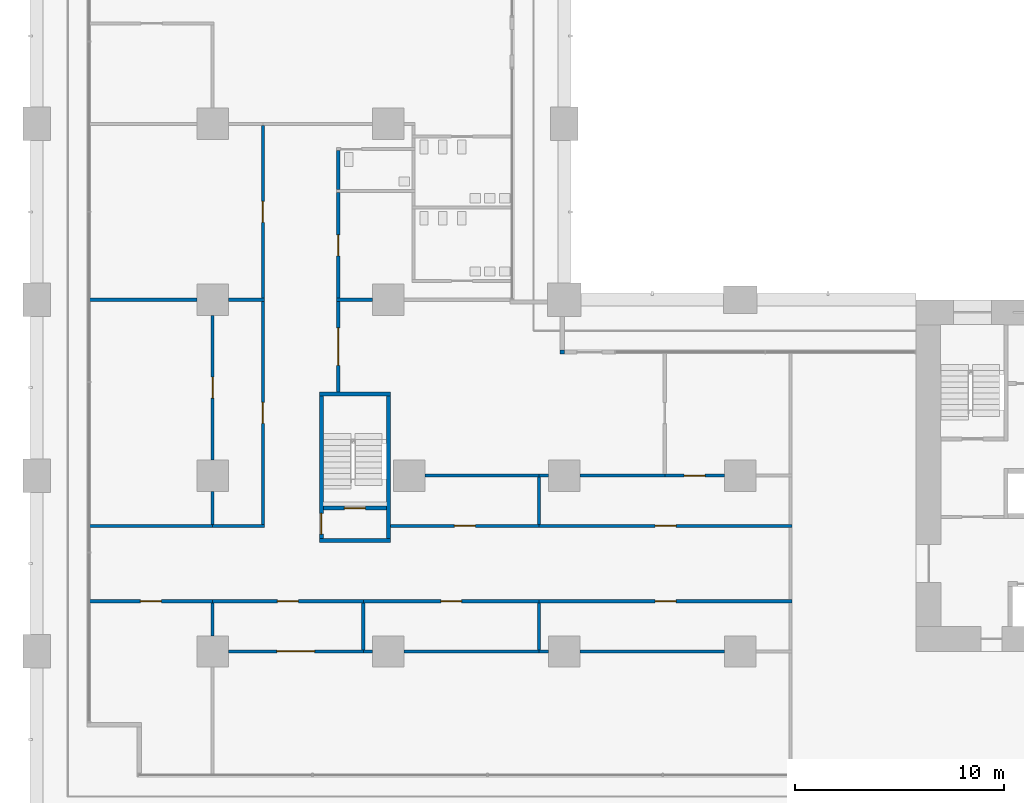
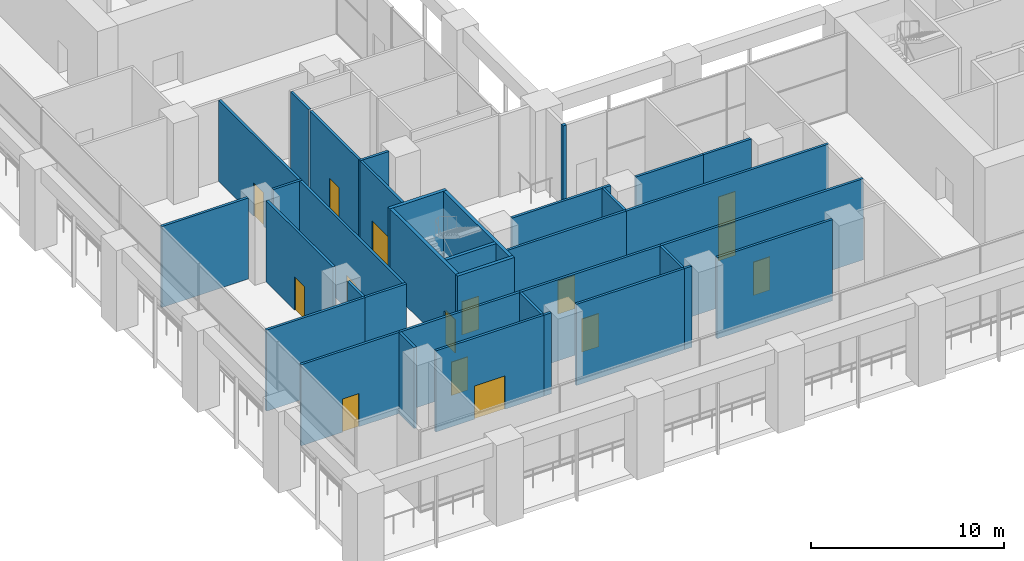
# One storey, part 14 of 32: 37 walls, 15 doors, 15 openings.
"""IFC4 building model written with IfcOpenShell, lengths in metres."""

from ifc_helpers import new_model, si_unit, direction, frame, frame_2d, origin, place, context, subcontext, project, spatial, rectangle, extrude, material, layer, layer_set, type_object, element, fill, save


model = new_model("IFC4")

# Units and contexts
model_context = context("Model", 3, precision=1e-05, world=origin(), true_north=direction((0.0, 1.0)))
body_context = subcontext(model_context, "Body", "Model", "MODEL_VIEW")
ifc_project = project(units=[si_unit("LENGTHUNIT", "METRE"), si_unit("AREAUNIT", "SQUARE_METRE"), si_unit("VOLUMEUNIT", "CUBIC_METRE"), si_unit("PLANEANGLEUNIT", "RADIAN"), si_unit("MASSUNIT", "GRAM", prefix="KILO")], contexts=[model_context])

# Site, building, storey
site_placement = place(None, origin())
site = spatial("IfcSite", under=ifc_project, at=site_placement, CompositionType="ELEMENT")
building_placement = place(site_placement, origin())
building = spatial("IfcBuilding", under=site, at=building_placement, Name="Vermilion Gate Residences", CompositionType="ELEMENT")
storey_placement = place(building_placement, frame((0.0, 0.0, 19.800048828125)))
storey = spatial("IfcBuildingStorey", under=building, at=storey_placement, Name="L03", CompositionType="ELEMENT", Elevation=19.800048828125)

# Wall
ifc_material_1 = material(Name="Insulated steel stud wall with terracotta rainscreen", Category="masonry")
ifc_layer_1 = layer(ifc_material_1, 0.199951171875)
ifc_layer_set_1 = layer_set([ifc_layer_1], Name="EXTERNAL WALL 200 TERRACOTTA RAINSCREEN")
wall_type_1 = type_object("IfcWallType", Name="EXTERNAL WALL 200 TERRACOTTA RAINSCREEN", PredefinedType="SOLIDWALL", material=ifc_layer_set_1)
wall_1_placement = place(storey_placement, frame((25.199951171875, 22.699951171875, 0.0), z_axis=(0.0, 0.0, 1.0), x_axis=(-1.0, 0.0, 0.0)))
element("IfcWall", 1, at=wall_1_placement, inside=storey, type_object=wall_type_1, Name="External wall", PredefinedType="SOLIDWALL", context=body_context, shape_type="SweptSolid", body=[
    extrude(rectangle(XDim=0.199951171875, YDim=0.199951171875, at=frame_2d((0.10009765625, 0.0))), origin(), (0.0, 0.0, 1.0), 5.119873046875),
])

# Wall, opening, door
ifc_material_2 = material(Name="Gypsum board on steel studs", Category="steel")
ifc_layer_2 = layer(ifc_material_2, 0.14990234375)
ifc_layer_set_2 = layer_set([ifc_layer_2], Name="PARTITION 150 EI 60 (AMENITY)")
wall_type_2 = type_object("IfcWallType", Name="PARTITION 150 EI 60 (AMENITY)", PredefinedType="PARTITIONING", material=ifc_layer_set_2)
wall_2_placement = place(storey_placement, frame((2.5, 10.800048828125, 0.0), z_axis=(0.0, 0.0, 1.0), x_axis=(1.0, 0.0, 0.0)))
wall_2 = element("IfcWall", 2, at=wall_2_placement, inside=storey, type_object=wall_type_2, Name="Partition 1", PredefinedType="PARTITIONING", context=body_context, shape_type="SweptSolid", body=[
    extrude(rectangle(XDim=5.89990234375, YDim=0.14990234375, at=frame_2d((2.949951171875, 0.0))), origin(), (0.0, 0.0, 1.0), 5.119873046875),
])
opening_1_placement = place(wall_2_placement, frame((2.449951171875, 0.0, 0.0)))
opening_1 = element("IfcOpeningElement", 3, at=opening_1_placement, cuts=wall_2, Name="Opening DM03005", PredefinedType="OPENING", context=body_context, shape_type="SweptSolid", body=[
    extrude(rectangle(XDim=1.0, YDim=2.10009765625, at=frame_2d((0.5, 1.050048828125))), frame((0.0, 0.0849609375, 0.0), z_axis=(0.0, -1.0, 0.0), x_axis=(1.0, 0.0, 0.0)), (0.0, 0.0, 1.0), 0.169921875),
])
ifc_material_3 = material(Name="Steel", Category="steel")
door_type_1 = type_object("IfcDoorType", Name="DOOR 1000 X 2100 FD30 (AMENITY)", OperationType="SINGLE_SWING_LEFT", PredefinedType="DOOR", material=ifc_material_3)
door_1_placement = place(opening_1_placement, frame((1.0, 0.0, 0.0), z_axis=(0.0, 0.0, 1.0), x_axis=(-1.0, 0.0, 0.0)))
door_1 = element("IfcDoor", 4, at=door_1_placement, inside=storey, type_object=door_type_1, Name="Door L03 5", OperationType="SINGLE_SWING_RIGHT", OverallHeight=2.10009765625, OverallWidth=1.0, PredefinedType="DOOR", context=body_context, shape_type="SweptSolid", body=[
    extrude(rectangle(XDim=1.0, YDim=2.10009765625, at=frame_2d((0.5, 1.050048828125))), frame((0.0, 0.02490234375, 0.0), z_axis=(0.0, -1.0, 0.0), x_axis=(1.0, 0.0, 0.0)), (0.0, 0.0, 1.0), 0.050048828125),
])
fill(opening_1, door_1)

# Walls
wall_3_placement = place(storey_placement, frame((2.5, 14.39990234375, 0.0), z_axis=(0.0, 0.0, 1.0), x_axis=(1.0, 0.0, 0.0)))
element("IfcWall", 5, at=wall_3_placement, inside=storey, type_object=wall_type_2, Name="Partition 2", PredefinedType="PARTITIONING", context=body_context, shape_type="SweptSolid", body=[
    extrude(rectangle(XDim=5.89990234375, YDim=0.14990234375, at=frame_2d((2.949951171875, 0.0))), origin(), (0.0, 0.0, 1.0), 5.119873046875),
])
wall_4_placement = place(storey_placement, frame((2.5, 25.199951171875, 0.0), z_axis=(0.0, 0.0, 1.0), x_axis=(1.0, 0.0, 0.0)))
element("IfcWall", 6, at=wall_4_placement, inside=storey, type_object=wall_type_2, Name="Partition 3", PredefinedType="PARTITIONING", context=body_context, shape_type="SweptSolid", body=[
    extrude(rectangle(XDim=5.14990234375, YDim=0.14990234375, at=frame_2d((2.574951171875, 0.0))), origin(), (0.0, 0.0, 1.0), 5.119873046875),
])
wall_5_placement = place(storey_placement, frame((8.39990234375, 9.14990234375, 0.0), z_axis=(0.0, 0.0, 1.0), x_axis=(0.0, 1.0, 0.0)))
element("IfcWall", 7, at=wall_5_placement, inside=storey, type_object=wall_type_2, Name="Partition 7", PredefinedType="PARTITIONING", context=body_context, shape_type="SweptSolid", body=[
    extrude(rectangle(XDim=1.5751953125, YDim=0.14990234375, at=frame_2d((0.78759765625, 0.0))), origin(), (0.0, 0.0, 1.0), 5.119873046875),
])

# Wall, opening, door
wall_6_placement = place(storey_placement, frame((9.14990234375, 8.39990234375, 0.0), z_axis=(0.0, 0.0, 1.0), x_axis=(1.0, 0.0, 0.0)))
wall_6 = element("IfcWall", 8, at=wall_6_placement, inside=storey, type_object=wall_type_2, Name="Partition 8", PredefinedType="PARTITIONING", context=body_context, shape_type="SweptSolid", body=[
    extrude(rectangle(XDim=6.4501953125, YDim=0.14990234375, at=frame_2d((3.22509765625, 0.0))), origin(), (0.0, 0.0, 1.0), 5.119873046875),
])
opening_2_placement = place(wall_6_placement, frame((2.324951171875, 0.0, 0.0)))
opening_2 = element("IfcOpeningElement", 9, at=opening_2_placement, cuts=wall_6, Name="Opening DM03001", PredefinedType="OPENING", context=body_context, shape_type="SweptSolid", body=[
    extrude(rectangle(XDim=1.800048828125, YDim=2.10009765625, at=frame_2d((0.89990234375, 1.050048828125))), frame((0.0, 0.0849609375, 0.0), z_axis=(0.0, -1.0, 0.0), x_axis=(1.0, 0.0, 0.0)), (0.0, 0.0, 1.0), 0.169921875),
])
ifc_material_4 = material(Name="Steel", Category="steel")
door_type_2 = type_object("IfcDoorType", Name="DOUBLE DOOR 1800 X 2100 FD30 (AMENITY)", OperationType="DOUBLE_DOOR_SINGLE_SWING", PredefinedType="DOOR", material=ifc_material_4)
door_2_placement = place(opening_2_placement, origin())
door_2 = element("IfcDoor", 10, at=door_2_placement, inside=storey, type_object=door_type_2, Name="Door L03 1", OperationType="DOUBLE_DOOR_SINGLE_SWING", OverallHeight=2.10009765625, OverallWidth=1.800048828125, PredefinedType="DOOR", context=body_context, shape_type="SweptSolid", body=[
    extrude(rectangle(XDim=1.800048828125, YDim=2.10009765625, at=frame_2d((0.89990234375, 1.050048828125))), frame((0.0, 0.02490234375, 0.0), z_axis=(0.0, -1.0, 0.0), x_axis=(1.0, 0.0, 0.0)), (0.0, 0.0, 1.0), 0.050048828125),
])
fill(opening_2, door_2)

wall_7_placement = place(storey_placement, frame((8.39990234375, 10.800048828125, 0.0), z_axis=(0.0, 0.0, 1.0), x_axis=(1.0, 0.0, 0.0)))
wall_7 = element("IfcWall", 11, at=wall_7_placement, inside=storey, type_object=wall_type_2, Name="Partition 9", PredefinedType="PARTITIONING", context=body_context, shape_type="SweptSolid", body=[
    extrude(rectangle(XDim=7.2001953125, YDim=0.14990234375, at=frame_2d((3.60009765625, 0.0))), origin(), (0.0, 0.0, 1.0), 5.119873046875),
])
opening_3_placement = place(wall_7_placement, frame((3.10009765625, 0.0, 0.0)))
opening_3 = element("IfcOpeningElement", 12, at=opening_3_placement, cuts=wall_7, Name="Opening DM03002", PredefinedType="OPENING", context=body_context, shape_type="SweptSolid", body=[
    extrude(rectangle(XDim=1.0, YDim=2.10009765625, at=frame_2d((0.5, 1.050048828125))), frame((0.0, 0.0849609375, 0.0), z_axis=(0.0, -1.0, 0.0), x_axis=(1.0, 0.0, 0.0)), (0.0, 0.0, 1.0), 0.169921875),
])
door_3_placement = place(opening_3_placement, frame((1.0, 0.0, 0.0), z_axis=(0.0, 0.0, 1.0), x_axis=(-1.0, 0.0, 0.0)))
door_3 = element("IfcDoor", 13, at=door_3_placement, inside=storey, type_object=door_type_1, Name="Door L03 2", OperationType="SINGLE_SWING_RIGHT", OverallHeight=2.10009765625, OverallWidth=1.0, PredefinedType="DOOR", context=body_context, shape_type="SweptSolid", body=[
    extrude(rectangle(XDim=1.0, YDim=2.10009765625, at=frame_2d((0.5, 1.050048828125))), frame((0.0, 0.02490234375, 0.0), z_axis=(0.0, -1.0, 0.0), x_axis=(1.0, 0.0, 0.0)), (0.0, 0.0, 1.0), 0.050048828125),
])
fill(opening_3, door_3)

# Wall
wall_8_placement = place(storey_placement, frame((8.39990234375, 14.47509765625, 0.0), z_axis=(0.0, 0.0, 1.0), x_axis=(0.0, 1.0, 0.0)))
element("IfcWall", 14, at=wall_8_placement, inside=storey, type_object=wall_type_2, Name="Partition 10", PredefinedType="PARTITIONING", context=body_context, shape_type="SweptSolid", body=[
    extrude(rectangle(XDim=1.574951171875, YDim=0.14990234375, at=frame_2d((0.78759765625, 0.0))), origin(), (0.0, 0.0, 1.0), 5.119873046875),
])

# Wall, opening, door
wall_9_placement = place(storey_placement, frame((8.39990234375, 17.550048828125, 0.0), z_axis=(0.0, 0.0, 1.0), x_axis=(0.0, 1.0, 0.0)))
wall_9 = element("IfcWall", 15, at=wall_9_placement, inside=storey, type_object=wall_type_2, Name="Partition 11", PredefinedType="PARTITIONING", context=body_context, shape_type="SweptSolid", body=[
    extrude(rectangle(XDim=6.89990234375, YDim=0.14990234375, at=frame_2d((3.449951171875, 0.0))), origin(), (0.0, 0.0, 1.0), 5.119873046875),
])
opening_4_placement = place(wall_9_placement, frame((2.949951171875, 0.0, 0.0)))
opening_4 = element("IfcOpeningElement", 16, at=opening_4_placement, cuts=wall_9, Name="Opening DM03011", PredefinedType="OPENING", context=body_context, shape_type="SweptSolid", body=[
    extrude(rectangle(XDim=1.0, YDim=2.10009765625, at=frame_2d((0.5, 1.050048828125))), frame((0.0, 0.0849609375, 0.0), z_axis=(0.0, -1.0, 0.0), x_axis=(1.0, 0.0, 0.0)), (0.0, 0.0, 1.0), 0.169921875),
])
door_4_placement = place(opening_4_placement, frame((1.0, 0.0, 0.0), z_axis=(0.0, 0.0, 1.0), x_axis=(-1.0, 0.0, 0.0)))
door_4 = element("IfcDoor", 17, at=door_4_placement, inside=storey, type_object=door_type_1, Name="Door L03 11", OperationType="SINGLE_SWING_RIGHT", OverallHeight=2.10009765625, OverallWidth=1.0, PredefinedType="DOOR", context=body_context, shape_type="SweptSolid", body=[
    extrude(rectangle(XDim=1.0, YDim=2.10009765625, at=frame_2d((0.5, 1.050048828125))), frame((0.0, 0.02490234375, 0.0), z_axis=(0.0, -1.0, 0.0), x_axis=(1.0, 0.0, 0.0)), (0.0, 0.0, 1.0), 0.050048828125),
])
fill(opening_4, door_4)

# Walls
wall_10_placement = place(storey_placement, frame((8.39990234375, 14.39990234375, 0.0), z_axis=(0.0, 0.0, 1.0), x_axis=(1.0, 0.0, 0.0)))
element("IfcWall", 18, at=wall_10_placement, inside=storey, type_object=wall_type_2, Name="Partition 12", PredefinedType="PARTITIONING", context=body_context, shape_type="SweptSolid", body=[
    extrude(rectangle(XDim=2.47509765625, YDim=0.14990234375, at=frame_2d((1.237548828125, 0.0))), origin(), (0.0, 0.0, 1.0), 5.119873046875),
])
wall_11_placement = place(storey_placement, frame((9.14990234375, 25.199951171875, 0.0), z_axis=(0.0, 0.0, 1.0), x_axis=(1.0, 0.0, 0.0)))
element("IfcWall", 19, at=wall_11_placement, inside=storey, type_object=wall_type_2, Name="Partition 13", PredefinedType="PARTITIONING", context=body_context, shape_type="SweptSolid", body=[
    extrude(rectangle(XDim=1.72509765625, YDim=0.14990234375, at=frame_2d((0.862548828125, 0.0))), origin(), (0.0, 0.0, 1.0), 5.119873046875),
])

# Wall, opening, door
wall_12_placement = place(storey_placement, frame((10.800048828125, 14.47509765625, 0.0), z_axis=(0.0, 0.0, 1.0), x_axis=(0.0, 1.0, 0.0)))
wall_12 = element("IfcWall", 20, at=wall_12_placement, inside=storey, type_object=wall_type_2, Name="Partition 16", PredefinedType="PARTITIONING", context=body_context, shape_type="SweptSolid", body=[
    extrude(rectangle(XDim=10.64990234375, YDim=0.14990234375, at=frame_2d((5.324951171875, 0.0))), origin(), (0.0, 0.0, 1.0), 5.119873046875),
])
opening_5_placement = place(wall_12_placement, frame((4.824951171875, 0.0, 0.0)))
opening_5 = element("IfcOpeningElement", 21, at=opening_5_placement, cuts=wall_12, Name="Opening DM03012", PredefinedType="OPENING", context=body_context, shape_type="SweptSolid", body=[
    extrude(rectangle(XDim=1.0, YDim=2.10009765625, at=frame_2d((0.5, 1.050048828125))), frame((0.0, 0.0849609375, 0.0), z_axis=(0.0, -1.0, 0.0), x_axis=(1.0, 0.0, 0.0)), (0.0, 0.0, 1.0), 0.169921875),
])
door_5_placement = place(opening_5_placement, origin())
door_5 = element("IfcDoor", 22, at=door_5_placement, inside=storey, type_object=door_type_1, Name="Door L03 12", OperationType="SINGLE_SWING_LEFT", OverallHeight=2.10009765625, OverallWidth=1.0, PredefinedType="DOOR", context=body_context, shape_type="SweptSolid", body=[
    extrude(rectangle(XDim=1.0, YDim=2.10009765625, at=frame_2d((0.5, 1.050048828125))), frame((0.0, 0.02490234375, 0.0), z_axis=(0.0, -1.0, 0.0), x_axis=(1.0, 0.0, 0.0)), (0.0, 0.0, 1.0), 0.050048828125),
])
fill(opening_5, door_5)

wall_13_placement = place(storey_placement, frame((10.800048828125, 25.27490234375, 0.0), z_axis=(0.0, 0.0, 1.0), x_axis=(0.0, 1.0, 0.0)))
wall_13 = element("IfcWall", 23, at=wall_13_placement, inside=storey, type_object=wall_type_2, Name="Partition 17", PredefinedType="PARTITIONING", context=body_context, shape_type="SweptSolid", body=[
    extrude(rectangle(XDim=8.25, YDim=0.14990234375, at=frame_2d((4.125, 0.0))), origin(), (0.0, 0.0, 1.0), 5.119873046875),
])
opening_6_placement = place(wall_13_placement, frame((3.625, 0.0, 0.0)))
opening_6 = element("IfcOpeningElement", 24, at=opening_6_placement, cuts=wall_13, Name="Opening DM03013", PredefinedType="OPENING", context=body_context, shape_type="SweptSolid", body=[
    extrude(rectangle(XDim=1.0, YDim=2.10009765625, at=frame_2d((0.5, 1.050048828125))), frame((0.0, 0.0849609375, 0.0), z_axis=(0.0, -1.0, 0.0), x_axis=(1.0, 0.0, 0.0)), (0.0, 0.0, 1.0), 0.169921875),
])
door_6_placement = place(opening_6_placement, origin())
door_6 = element("IfcDoor", 25, at=door_6_placement, inside=storey, type_object=door_type_1, Name="Door L03 13", OperationType="SINGLE_SWING_LEFT", OverallHeight=2.10009765625, OverallWidth=1.0, PredefinedType="DOOR", context=body_context, shape_type="SweptSolid", body=[
    extrude(rectangle(XDim=1.0, YDim=2.10009765625, at=frame_2d((0.5, 1.050048828125))), frame((0.0, 0.02490234375, 0.0), z_axis=(0.0, -1.0, 0.0), x_axis=(1.0, 0.0, 0.0)), (0.0, 0.0, 1.0), 0.050048828125),
])
fill(opening_6, door_6)

wall_14_placement = place(storey_placement, frame((14.39990234375, 20.800048828125, 0.0), z_axis=(0.0, 0.0, 1.0), x_axis=(0.0, 1.0, 0.0)))
wall_14 = element("IfcWall", 26, at=wall_14_placement, inside=storey, type_object=wall_type_2, Name="Partition 20", PredefinedType="PARTITIONING", context=body_context, shape_type="SweptSolid", body=[
    extrude(rectangle(XDim=4.324951171875, YDim=0.14990234375, at=frame_2d((2.16259765625, 0.0))), origin(), (0.0, 0.0, 1.0), 5.119873046875),
])
opening_7_placement = place(wall_14_placement, frame((1.262451171875, 0.0, 0.0)))
opening_7 = element("IfcOpeningElement", 27, at=opening_7_placement, cuts=wall_14, Name="Opening DM03006", PredefinedType="OPENING", context=body_context, shape_type="SweptSolid", body=[
    extrude(rectangle(XDim=1.800048828125, YDim=2.10009765625, at=frame_2d((0.89990234375, 1.050048828125))), frame((0.0, 0.0849609375, 0.0), z_axis=(0.0, -1.0, 0.0), x_axis=(1.0, 0.0, 0.0)), (0.0, 0.0, 1.0), 0.169921875),
])
door_7_placement = place(opening_7_placement, origin())
door_7 = element("IfcDoor", 28, at=door_7_placement, inside=storey, type_object=door_type_2, Name="Door L03 6", OperationType="DOUBLE_DOOR_SINGLE_SWING", OverallHeight=2.10009765625, OverallWidth=1.800048828125, PredefinedType="DOOR", context=body_context, shape_type="SweptSolid", body=[
    extrude(rectangle(XDim=1.800048828125, YDim=2.10009765625, at=frame_2d((0.89990234375, 1.050048828125))), frame((0.0, 0.02490234375, 0.0), z_axis=(0.0, -1.0, 0.0), x_axis=(1.0, 0.0, 0.0)), (0.0, 0.0, 1.0), 0.050048828125),
])
fill(opening_7, door_7)

wall_15_placement = place(storey_placement, frame((14.39990234375, 25.27490234375, 0.0), z_axis=(0.0, 0.0, 1.0), x_axis=(0.0, 1.0, 0.0)))
wall_15 = element("IfcWall", 29, at=wall_15_placement, inside=storey, type_object=wall_type_2, Name="Partition 21", PredefinedType="PARTITIONING", context=body_context, shape_type="SweptSolid", body=[
    extrude(rectangle(XDim=5.050048828125, YDim=0.14990234375, at=frame_2d((2.52490234375, 0.0))), origin(), (0.0, 0.0, 1.0), 5.119873046875),
])
opening_8_placement = place(wall_15_placement, frame((2.02490234375, 0.0, 0.0)))
opening_8 = element("IfcOpeningElement", 30, at=opening_8_placement, cuts=wall_15, Name="Opening DM03017", PredefinedType="OPENING", context=body_context, shape_type="SweptSolid", body=[
    extrude(rectangle(XDim=1.0, YDim=2.10009765625, at=frame_2d((0.5, 1.050048828125))), frame((0.0, 0.0849609375, 0.0), z_axis=(0.0, -1.0, 0.0), x_axis=(1.0, 0.0, 0.0)), (0.0, 0.0, 1.0), 0.169921875),
])
door_8_placement = place(opening_8_placement, frame((1.0, 0.0, 0.0), z_axis=(0.0, 0.0, 1.0), x_axis=(-1.0, 0.0, 0.0)))
door_8 = element("IfcDoor", 31, at=door_8_placement, inside=storey, type_object=door_type_1, Name="Door L03 17", OperationType="SINGLE_SWING_RIGHT", OverallHeight=2.10009765625, OverallWidth=1.0, PredefinedType="DOOR", context=body_context, shape_type="SweptSolid", body=[
    extrude(rectangle(XDim=1.0, YDim=2.10009765625, at=frame_2d((0.5, 1.050048828125))), frame((0.0, 0.02490234375, 0.0), z_axis=(0.0, -1.0, 0.0), x_axis=(1.0, 0.0, 0.0)), (0.0, 0.0, 1.0), 0.050048828125),
])
fill(opening_8, door_8)

# Walls
wall_16_placement = place(storey_placement, frame((14.324951171875, 25.199951171875, 0.0), z_axis=(0.0, 0.0, 1.0), x_axis=(1.0, 0.0, 0.0)))
element("IfcWall", 32, at=wall_16_placement, inside=storey, type_object=wall_type_2, Name="Partition 22", PredefinedType="PARTITIONING", context=body_context, shape_type="SweptSolid", body=[
    extrude(rectangle(XDim=1.72509765625, YDim=0.14990234375, at=frame_2d((0.862548828125, 0.0))), origin(), (0.0, 0.0, 1.0), 5.119873046875),
])
wall_17_placement = place(storey_placement, frame((14.39990234375, 30.47509765625, 0.0), z_axis=(0.0, 0.0, 1.0), x_axis=(0.0, 1.0, 0.0)))
element("IfcWall", 33, at=wall_17_placement, inside=storey, type_object=wall_type_2, Name="Partition 24", PredefinedType="PARTITIONING", context=body_context, shape_type="SweptSolid", body=[
    extrude(rectangle(XDim=1.849853515625, YDim=0.14990234375, at=frame_2d((0.9248046875, 0.0))), origin(), (0.0, 0.0, 1.0), 5.119873046875),
])
wall_18_placement = place(storey_placement, frame((15.60009765625, 8.47509765625, 0.0), z_axis=(0.0, 0.0, 1.0), x_axis=(0.0, 1.0, 0.0)))
element("IfcWall", 34, at=wall_18_placement, inside=storey, type_object=wall_type_2, Name="Partition 27", PredefinedType="PARTITIONING", context=body_context, shape_type="SweptSolid", body=[
    extrude(rectangle(XDim=2.25, YDim=0.14990234375, at=frame_2d((1.125, 0.0))), origin(), (0.0, 0.0, 1.0), 5.119873046875),
])
wall_19_placement = place(storey_placement, frame((15.60009765625, 8.39990234375, 0.0), z_axis=(0.0, 0.0, 1.0), x_axis=(1.0, 0.0, 0.0)))
element("IfcWall", 35, at=wall_19_placement, inside=storey, type_object=wall_type_2, Name="Partition 28", PredefinedType="PARTITIONING", context=body_context, shape_type="SweptSolid", body=[
    extrude(rectangle(XDim=0.449951171875, YDim=0.14990234375, at=frame_2d((0.22509765625, 0.0))), origin(), (0.0, 0.0, 1.0), 5.119873046875),
])
wall_20_placement = place(storey_placement, frame((17.550048828125, 8.39990234375, 0.0), z_axis=(0.0, 0.0, 1.0), x_axis=(1.0, 0.0, 0.0)))
element("IfcWall", 36, at=wall_20_placement, inside=storey, type_object=wall_type_2, Name="Partition 29", PredefinedType="PARTITIONING", context=body_context, shape_type="SweptSolid", body=[
    extrude(rectangle(XDim=6.449951171875, YDim=0.14990234375, at=frame_2d((3.22509765625, 0.0))), origin(), (0.0, 0.0, 1.0), 5.119873046875),
])

# Wall, opening, door
wall_21_placement = place(storey_placement, frame((15.60009765625, 10.800048828125, 0.0), z_axis=(0.0, 0.0, 1.0), x_axis=(1.0, 0.0, 0.0)))
wall_21 = element("IfcWall", 37, at=wall_21_placement, inside=storey, type_object=wall_type_2, Name="Partition 30", PredefinedType="PARTITIONING", context=body_context, shape_type="SweptSolid", body=[
    extrude(rectangle(XDim=8.39990234375, YDim=0.14990234375, at=frame_2d((4.199951171875, 0.0))), origin(), (0.0, 0.0, 1.0), 5.119873046875),
])
opening_9_placement = place(wall_21_placement, frame((3.699951171875, 0.0, 0.0)))
opening_9 = element("IfcOpeningElement", 38, at=opening_9_placement, cuts=wall_21, Name="Opening DM03003", PredefinedType="OPENING", context=body_context, shape_type="SweptSolid", body=[
    extrude(rectangle(XDim=1.0, YDim=2.10009765625, at=frame_2d((0.5, 1.050048828125))), frame((0.0, 0.0849609375, 0.0), z_axis=(0.0, -1.0, 0.0), x_axis=(1.0, 0.0, 0.0)), (0.0, 0.0, 1.0), 0.169921875),
])
door_9_placement = place(opening_9_placement, frame((1.0, 0.0, 0.0), z_axis=(0.0, 0.0, 1.0), x_axis=(-1.0, 0.0, 0.0)))
door_9 = element("IfcDoor", 39, at=door_9_placement, inside=storey, type_object=door_type_1, Name="Door L03 3", OperationType="SINGLE_SWING_RIGHT", OverallHeight=2.10009765625, OverallWidth=1.0, PredefinedType="DOOR", context=body_context, shape_type="SweptSolid", body=[
    extrude(rectangle(XDim=1.0, YDim=2.10009765625, at=frame_2d((0.5, 1.050048828125))), frame((0.0, 0.02490234375, 0.0), z_axis=(0.0, -1.0, 0.0), x_axis=(1.0, 0.0, 0.0)), (0.0, 0.0, 1.0), 0.050048828125),
])
fill(opening_9, door_9)

wall_22_placement = place(storey_placement, frame((16.89990234375, 14.39990234375, 0.0), z_axis=(0.0, 0.0, 1.0), x_axis=(1.0, 0.0, 0.0)))
wall_22 = element("IfcWall", 40, at=wall_22_placement, inside=storey, type_object=wall_type_2, Name="Partition 31", PredefinedType="PARTITIONING", context=body_context, shape_type="SweptSolid", body=[
    extrude(rectangle(XDim=7.10009765625, YDim=0.14990234375, at=frame_2d((3.550048828125, 0.0))), origin(), (0.0, 0.0, 1.0), 5.119873046875),
])
opening_10_placement = place(wall_22_placement, frame((3.050048828125, 0.0, 0.0)))
opening_10 = element("IfcOpeningElement", 41, at=opening_10_placement, cuts=wall_22, Name="Opening DM03009", PredefinedType="OPENING", context=body_context, shape_type="SweptSolid", body=[
    extrude(rectangle(XDim=1.0, YDim=2.10009765625, at=frame_2d((0.5, 1.050048828125))), frame((0.0, 0.0849609375, 0.0), z_axis=(0.0, -1.0, 0.0), x_axis=(1.0, 0.0, 0.0)), (0.0, 0.0, 1.0), 0.169921875),
])
door_10_placement = place(opening_10_placement, origin())
door_10 = element("IfcDoor", 42, at=door_10_placement, inside=storey, type_object=door_type_1, Name="Door L03 9", OperationType="SINGLE_SWING_RIGHT", OverallHeight=2.10009765625, OverallWidth=1.0, PredefinedType="DOOR", context=body_context, shape_type="SweptSolid", body=[
    extrude(rectangle(XDim=1.0, YDim=2.10009765625, at=frame_2d((0.5, 1.050048828125))), frame((0.0, 0.02490234375, 0.0), z_axis=(0.0, -1.0, 0.0), x_axis=(1.0, 0.0, 0.0)), (0.0, 0.0, 1.0), 0.050048828125),
])
fill(opening_10, door_10)

# Walls
wall_23_placement = place(storey_placement, frame((18.550048828125, 16.800048828125, 0.0), z_axis=(0.0, 0.0, 1.0), x_axis=(1.0, 0.0, 0.0)))
element("IfcWall", 43, at=wall_23_placement, inside=storey, type_object=wall_type_2, Name="Partition 32", PredefinedType="PARTITIONING", context=body_context, shape_type="SweptSolid", body=[
    extrude(rectangle(XDim=5.449951171875, YDim=0.14990234375, at=frame_2d((2.72509765625, 0.0))), origin(), (0.0, 0.0, 1.0), 5.119873046875),
])
wall_24_placement = place(storey_placement, frame((24.0, 8.47509765625, 0.0), z_axis=(0.0, 0.0, 1.0), x_axis=(0.0, 1.0, 0.0)))
element("IfcWall", 44, at=wall_24_placement, inside=storey, type_object=wall_type_2, Name="Partition 41", PredefinedType="PARTITIONING", context=body_context, shape_type="SweptSolid", body=[
    extrude(rectangle(XDim=2.25, YDim=0.14990234375, at=frame_2d((1.125, 0.0))), origin(), (0.0, 0.0, 1.0), 5.119873046875),
])
wall_25_placement = place(storey_placement, frame((24.0, 8.39990234375, 0.0), z_axis=(0.0, 0.0, 1.0), x_axis=(1.0, 0.0, 0.0)))
element("IfcWall", 45, at=wall_25_placement, inside=storey, type_object=wall_type_2, Name="Partition 42", PredefinedType="PARTITIONING", context=body_context, shape_type="SweptSolid", body=[
    extrude(rectangle(XDim=0.449951171875, YDim=0.14990234375, at=frame_2d((0.22509765625, 0.0))), origin(), (0.0, 0.0, 1.0), 5.119873046875),
])
wall_26_placement = place(storey_placement, frame((25.949951171875, 8.39990234375, 0.0), z_axis=(0.0, 0.0, 1.0), x_axis=(1.0, 0.0, 0.0)))
element("IfcWall", 46, at=wall_26_placement, inside=storey, type_object=wall_type_2, Name="Partition 43", PredefinedType="PARTITIONING", context=body_context, shape_type="SweptSolid", body=[
    extrude(rectangle(XDim=6.900146484375, YDim=0.14990234375, at=frame_2d((3.4501953125, 0.0))), origin(), (0.0, 0.0, 1.0), 5.119873046875),
])

# Wall, opening, door
wall_27_placement = place(storey_placement, frame((24.0, 10.800048828125, 0.0), z_axis=(0.0, 0.0, 1.0), x_axis=(1.0, 0.0, 0.0)))
wall_27 = element("IfcWall", 47, at=wall_27_placement, inside=storey, type_object=wall_type_2, Name="Partition 45", PredefinedType="PARTITIONING", context=body_context, shape_type="SweptSolid", body=[
    extrude(rectangle(XDim=12.074951171875, YDim=0.14990234375, at=frame_2d((6.03759765625, 0.0))), origin(), (0.0, 0.0, 1.0), 5.119873046875),
])
opening_11_placement = place(wall_27_placement, frame((5.53759765625, 0.0, 0.0)))
opening_11 = element("IfcOpeningElement", 48, at=opening_11_placement, cuts=wall_27, Name="Opening DM03004", PredefinedType="OPENING", context=body_context, shape_type="SweptSolid", body=[
    extrude(rectangle(XDim=1.0, YDim=2.10009765625, at=frame_2d((0.5, 1.050048828125))), frame((0.0, 0.0849609375, 0.0), z_axis=(0.0, -1.0, 0.0), x_axis=(1.0, 0.0, 0.0)), (0.0, 0.0, 1.0), 0.169921875),
])
door_11_placement = place(opening_11_placement, frame((1.0, 0.0, 0.0), z_axis=(0.0, 0.0, 1.0), x_axis=(-1.0, 0.0, 0.0)))
door_11 = element("IfcDoor", 49, at=door_11_placement, inside=storey, type_object=door_type_1, Name="Door L03 4", OperationType="SINGLE_SWING_RIGHT", OverallHeight=2.10009765625, OverallWidth=1.0, PredefinedType="DOOR", context=body_context, shape_type="SweptSolid", body=[
    extrude(rectangle(XDim=1.0, YDim=2.10009765625, at=frame_2d((0.5, 1.050048828125))), frame((0.0, 0.02490234375, 0.0), z_axis=(0.0, -1.0, 0.0), x_axis=(1.0, 0.0, 0.0)), (0.0, 0.0, 1.0), 0.050048828125),
])
fill(opening_11, door_11)

# Wall
wall_28_placement = place(storey_placement, frame((24.0, 14.47509765625, 0.0), z_axis=(0.0, 0.0, 1.0), x_axis=(0.0, 1.0, 0.0)))
element("IfcWall", 50, at=wall_28_placement, inside=storey, type_object=wall_type_2, Name="Partition 46", PredefinedType="PARTITIONING", context=body_context, shape_type="SweptSolid", body=[
    extrude(rectangle(XDim=2.25, YDim=0.14990234375, at=frame_2d((1.125, 0.0))), origin(), (0.0, 0.0, 1.0), 5.119873046875),
])

# Wall, opening, door
wall_29_placement = place(storey_placement, frame((24.0, 14.39990234375, 0.0), z_axis=(0.0, 0.0, 1.0), x_axis=(1.0, 0.0, 0.0)))
wall_29 = element("IfcWall", 51, at=wall_29_placement, inside=storey, type_object=wall_type_2, Name="Partition 47", PredefinedType="PARTITIONING", context=body_context, shape_type="SweptSolid", body=[
    extrude(rectangle(XDim=12.074951171875, YDim=0.14990234375, at=frame_2d((6.03759765625, 0.0))), origin(), (0.0, 0.0, 1.0), 5.119873046875),
])
opening_12_placement = place(wall_29_placement, frame((5.53759765625, 0.0, 0.0)))
opening_12 = element("IfcOpeningElement", 52, at=opening_12_placement, cuts=wall_29, Name="Opening DM03010", PredefinedType="OPENING", context=body_context, shape_type="SweptSolid", body=[
    extrude(rectangle(XDim=1.0, YDim=2.10009765625, at=frame_2d((0.5, 1.050048828125))), frame((0.0, 0.0849609375, 0.0), z_axis=(0.0, -1.0, 0.0), x_axis=(1.0, 0.0, 0.0)), (0.0, 0.0, 1.0), 0.169921875),
])
door_12_placement = place(opening_12_placement, origin())
door_12 = element("IfcDoor", 53, at=door_12_placement, inside=storey, type_object=door_type_1, Name="Door L03 10", OperationType="SINGLE_SWING_LEFT", OverallHeight=2.10009765625, OverallWidth=1.0, PredefinedType="DOOR", context=body_context, shape_type="SweptSolid", body=[
    extrude(rectangle(XDim=1.0, YDim=2.10009765625, at=frame_2d((0.5, 1.050048828125))), frame((0.0, 0.02490234375, 0.0), z_axis=(0.0, -1.0, 0.0), x_axis=(1.0, 0.0, 0.0)), (0.0, 0.0, 1.0), 0.050048828125),
])
fill(opening_12, door_12)

# Walls
wall_30_placement = place(storey_placement, frame((24.0, 16.800048828125, 0.0), z_axis=(0.0, 0.0, 1.0), x_axis=(1.0, 0.0, 0.0)))
element("IfcWall", 54, at=wall_30_placement, inside=storey, type_object=wall_type_2, Name="Partition 48", PredefinedType="PARTITIONING", context=body_context, shape_type="SweptSolid", body=[
    extrude(rectangle(XDim=0.449951171875, YDim=0.14990234375, at=frame_2d((0.22509765625, 0.0))), origin(), (0.0, 0.0, 1.0), 5.119873046875),
])
wall_31_placement = place(storey_placement, frame((25.949951171875, 16.800048828125, 0.0), z_axis=(0.0, 0.0, 1.0), x_axis=(1.0, 0.0, 0.0)))
element("IfcWall", 55, at=wall_31_placement, inside=storey, type_object=wall_type_2, Name="Partition 49", PredefinedType="PARTITIONING", context=body_context, shape_type="SweptSolid", body=[
    extrude(rectangle(XDim=4.050048828125, YDim=0.14990234375, at=frame_2d((2.02490234375, 0.0))), origin(), (0.0, 0.0, 1.0), 5.119873046875),
])

# Wall, opening, door
wall_32_placement = place(storey_placement, frame((30.0, 16.800048828125, 0.0), z_axis=(0.0, 0.0, 1.0), x_axis=(1.0, 0.0, 0.0)))
wall_32 = element("IfcWall", 56, at=wall_32_placement, inside=storey, type_object=wall_type_2, Name="Partition 51", PredefinedType="PARTITIONING", context=body_context, shape_type="SweptSolid", body=[
    extrude(rectangle(XDim=2.85009765625, YDim=0.14990234375, at=frame_2d((1.425048828125, 0.0))), origin(), (0.0, 0.0, 1.0), 5.119873046875),
])
opening_13_placement = place(wall_32_placement, frame((0.925048828125, 0.0, 0.0)))
opening_13 = element("IfcOpeningElement", 57, at=opening_13_placement, cuts=wall_32, Name="Opening DM03008", PredefinedType="OPENING", context=body_context, shape_type="SweptSolid", body=[
    extrude(rectangle(XDim=1.0, YDim=2.10009765625, at=frame_2d((0.5, 1.050048828125))), frame((0.0, 0.0849609375, 0.0), z_axis=(0.0, -1.0, 0.0), x_axis=(1.0, 0.0, 0.0)), (0.0, 0.0, 1.0), 0.169921875),
])
door_13_placement = place(opening_13_placement, frame((1.0, 0.0, 0.0), z_axis=(0.0, 0.0, 1.0), x_axis=(-1.0, 0.0, 0.0)))
door_13 = element("IfcDoor", 58, at=door_13_placement, inside=storey, type_object=door_type_1, Name="Door L03 8", OperationType="SINGLE_SWING_LEFT", OverallHeight=2.10009765625, OverallWidth=1.0, PredefinedType="DOOR", context=body_context, shape_type="SweptSolid", body=[
    extrude(rectangle(XDim=1.0, YDim=2.10009765625, at=frame_2d((0.5, 1.050048828125))), frame((0.0, 0.02490234375, 0.0), z_axis=(0.0, -1.0, 0.0), x_axis=(1.0, 0.0, 0.0)), (0.0, 0.0, 1.0), 0.050048828125),
])
fill(opening_13, door_13)

ifc_material_5 = material(Name="Concrete C60", Category="concrete")
ifc_layer_3 = layer(ifc_material_5, 0.199951171875)
ifc_layer_set_3 = layer_set([ifc_layer_3], Name="RC CORE INTERNAL WALL 200 C60")
wall_type_3 = type_object("IfcWallType", Name="RC CORE INTERNAL WALL 200 C60", PredefinedType="SHEAR", material=ifc_layer_set_3)
wall_33_placement = place(storey_placement, frame((13.60009765625, 13.800048828125, 0.0), z_axis=(0.0, 0.0, 1.0), x_axis=(0.0, 1.0, 0.0)))
wall_33 = element("IfcWall", 59, at=wall_33_placement, inside=storey, type_object=wall_type_3, Name="Core internal wall C03-W", PredefinedType="SHEAR", context=body_context, shape_type="SweptSolid", body=[
    extrude(rectangle(XDim=6.800048828125, YDim=0.199951171875, at=frame_2d((3.39990234375, 0.0))), origin(), (0.0, 0.0, 1.0), 5.119873046875),
])
opening_14_placement = place(wall_33_placement, frame((0.199951171875, 0.0, 0.0)))
opening_14 = element("IfcOpeningElement", 60, at=opening_14_placement, cuts=wall_33, Name="Opening DK03201", PredefinedType="OPENING", context=body_context, shape_type="SweptSolid", body=[
    extrude(rectangle(XDim=1.0, YDim=2.10009765625, at=frame_2d((0.5, 1.050048828125))), frame((0.0, 0.10986328125, 0.0), z_axis=(0.0, -1.0, 0.0), x_axis=(1.0, 0.0, 0.0)), (0.0, 0.0, 1.0), 0.219970703125),
])
ifc_material_6 = material(Name="Steel", Category="steel")
door_type_3 = type_object("IfcDoorType", Name="FIRE DOOR FD60 1000 X 2100", OperationType="SINGLE_SWING_LEFT", PredefinedType="DOOR", material=ifc_material_6)
door_14_placement = place(opening_14_placement, origin())
door_14 = element("IfcDoor", 61, at=door_14_placement, inside=storey, type_object=door_type_3, Name="Stair vestibule door C03", OperationType="SINGLE_SWING_LEFT", OverallHeight=2.10009765625, OverallWidth=1.0, PredefinedType="DOOR", context=body_context, shape_type="SweptSolid", body=[
    extrude(rectangle(XDim=1.0, YDim=2.10009765625, at=frame_2d((0.5, 1.050048828125))), frame((0.0, 0.02490234375, 0.0), z_axis=(0.0, -1.0, 0.0), x_axis=(1.0, 0.0, 0.0)), (0.0, 0.0, 1.0), 0.050048828125),
])
fill(opening_14, door_14)

# Walls
wall_34_placement = place(storey_placement, frame((16.800048828125, 13.800048828125, 0.0), z_axis=(0.0, 0.0, 1.0), x_axis=(0.0, 1.0, 0.0)))
element("IfcWall", 62, at=wall_34_placement, inside=storey, type_object=wall_type_3, Name="Core internal wall C03-E", PredefinedType="SHEAR", context=body_context, shape_type="SweptSolid", body=[
    extrude(rectangle(XDim=6.800048828125, YDim=0.199951171875, at=frame_2d((3.39990234375, 0.0))), origin(), (0.0, 0.0, 1.0), 5.119873046875),
])
for number, where, z_axis, x_axis, name in (
    (63, (13.5, 13.699951171875, 0.0), (0.0, 0.0, 1.0), (1.0, 0.0, 0.0), "Core internal wall C03-S"),
    (64, (13.5, 20.699951171875, 0.0), (0.0, 0.0, 1.0), (1.0, 0.0, 0.0), "Core internal wall C03-N"),
):
    element("IfcWall", number, at=place(storey_placement, frame(where, z_axis=z_axis, x_axis=x_axis)), inside=storey, type_object=wall_type_3, Name=name, PredefinedType="SHEAR", context=body_context, shape_type="SweptSolid", body=[
        extrude(rectangle(XDim=3.39990234375, YDim=0.199951171875, at=frame_2d((1.699951171875, 0.0))), origin(), (0.0, 0.0, 1.0), 5.119873046875),
    ])

# Wall, opening, door
wall_35_placement = place(storey_placement, frame((13.699951171875, 15.25, 0.0), z_axis=(0.0, 0.0, 1.0), x_axis=(1.0, 0.0, 0.0)))
wall_35 = element("IfcWall", 65, at=wall_35_placement, inside=storey, type_object=wall_type_3, Name="Core internal wall C03-P", PredefinedType="SHEAR", context=body_context, shape_type="SweptSolid", body=[
    extrude(rectangle(XDim=3.0, YDim=0.199951171875, at=frame_2d((1.5, 0.0))), origin(), (0.0, 0.0, 1.0), 5.119873046875),
])
opening_15_placement = place(wall_35_placement, frame((1.0, 0.0, 0.0)))
opening_15 = element("IfcOpeningElement", 66, at=opening_15_placement, cuts=wall_35, Name="Opening DK03202", PredefinedType="OPENING", context=body_context, shape_type="SweptSolid", body=[
    extrude(rectangle(XDim=1.0, YDim=2.10009765625, at=frame_2d((0.5, 1.050048828125))), frame((0.0, 0.10986328125, 0.0), z_axis=(0.0, -1.0, 0.0), x_axis=(1.0, 0.0, 0.0)), (0.0, 0.0, 1.0), 0.219970703125),
])
door_15_placement = place(opening_15_placement, origin())
door_15 = element("IfcDoor", 67, at=door_15_placement, inside=storey, type_object=door_type_3, Name="Stair door C03", OperationType="SINGLE_SWING_LEFT", OverallHeight=2.10009765625, OverallWidth=1.0, PredefinedType="DOOR", context=body_context, shape_type="SweptSolid", body=[
    extrude(rectangle(XDim=1.0, YDim=2.10009765625, at=frame_2d((0.5, 1.050048828125))), frame((0.0, 0.02490234375, 0.0), z_axis=(0.0, -1.0, 0.0), x_axis=(1.0, 0.0, 0.0)), (0.0, 0.0, 1.0), 0.050048828125),
])
fill(opening_15, door_15)

save(model, "model.ifc")
